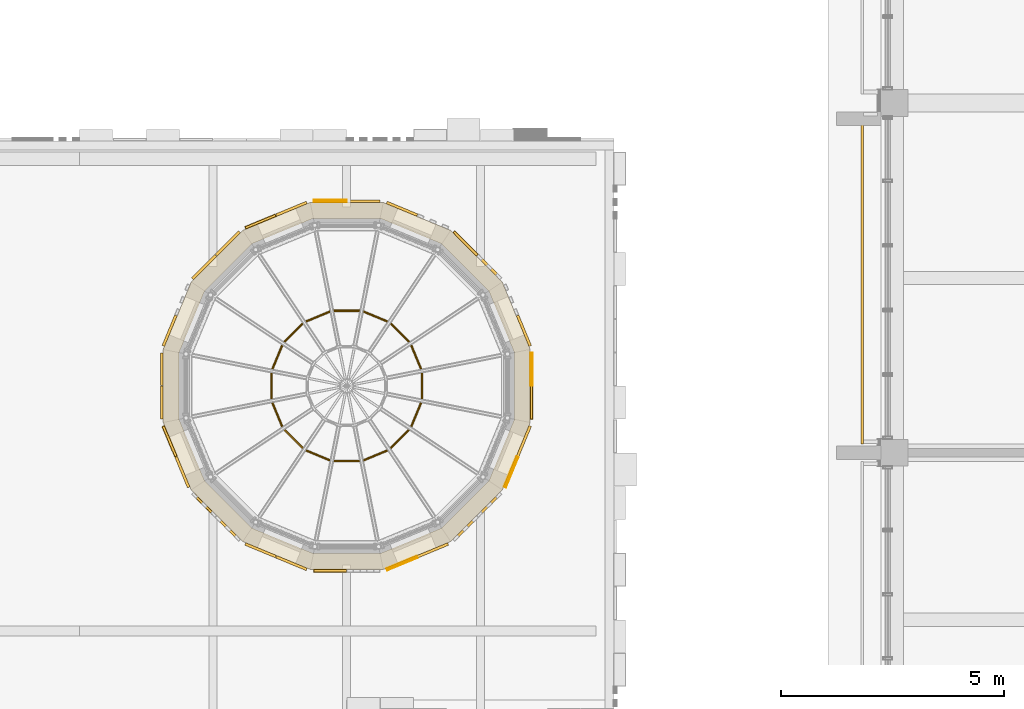
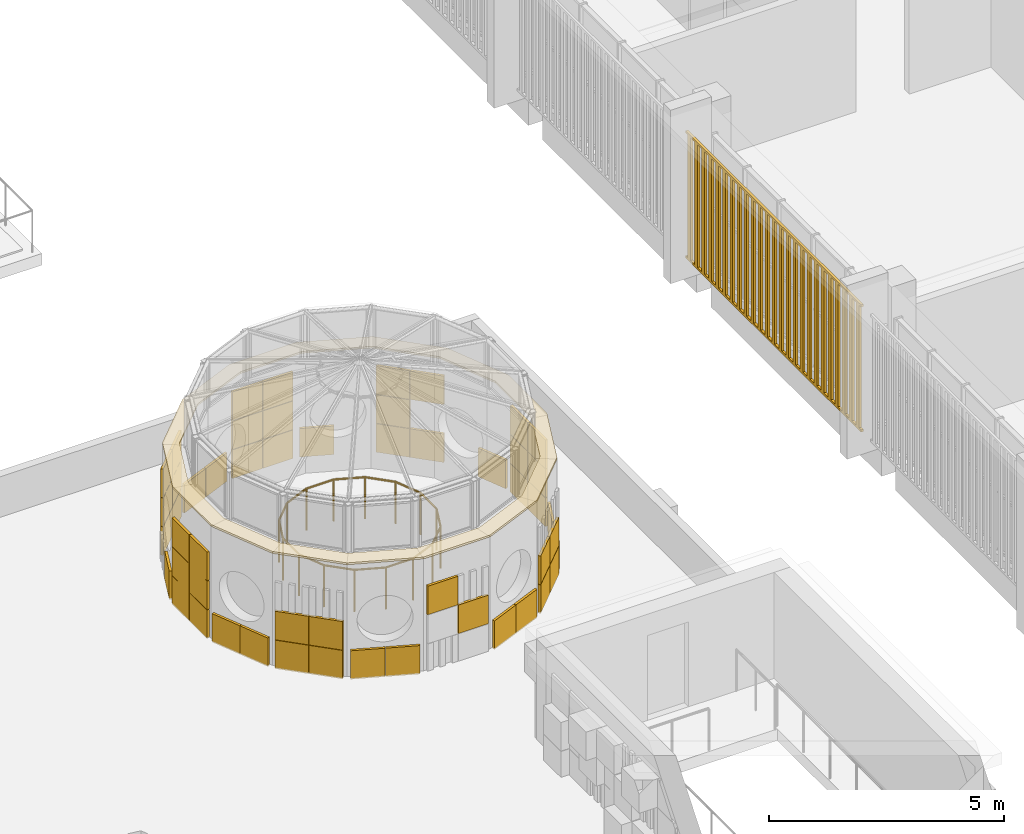
# One storey, part 89 of 98: 6 coverings, 1 railing, 1 shading device.
"""IFC4 building model written with IfcOpenShell, lengths in metres."""

import ifcopenshell
import ifcopenshell.guid

model = None  # the IFC model being written
_history = None  # IfcOwnerHistory: only IFC2X3 demands one
_inside = {}  # id of a spatial element -> (the spatial element, [elements in it])
_under = {}  # id of a project, library or spatial element -> (it, [spatial elements below it])
_declared = {}  # id of a project -> (the project, [libraries it declares])
_typed = {}  # id of a type object -> (the type object, [elements of that type])
_made_of = {}  # id of a material, layer set ... -> (it, [elements and type objects made of it])


def new_model(schema):
    """Start an empty IFC model of exactly this schema.

    Asked for "IFC4X3", IfcOpenShell would pick the latest addendum, in which some entities
    have other attributes; the version numbers below select the first issue.
    IFC2X3 requires an IfcOwnerHistory on every rooted entity: one is made here for all.
    """
    global model, _history
    if schema == "IFC4X3":
        model = ifcopenshell.file(schema_version=(4, 3, 0, 0))
    else:
        model = ifcopenshell.file(schema=schema)
    _inside.clear()
    _under.clear()
    _declared.clear()
    _typed.clear()
    _made_of.clear()
    _history = None
    if model.schema == "IFC2X3":
        org = make("IfcOrganization", Name="unknown")
        user = make(
            "IfcPersonAndOrganization",
            ThePerson=make("IfcPerson", FamilyName="unknown"),
            TheOrganization=org,
        )
        app = make(
            "IfcApplication",
            ApplicationDeveloper=org,
            Version="unknown",
            ApplicationFullName="unknown",
            ApplicationIdentifier="unknown",
        )
        _history = make(
            "IfcOwnerHistory",
            OwningUser=user,
            OwningApplication=app,
            ChangeAction="ADDED",
            CreationDate=0,
        )
    return model


def make(cls, **values):
    """One entity of the class cls with the attributes given. An attribute that is None is left unset."""
    return model.create_entity(
        cls, **{name: value for name, value in values.items() if value is not None}
    )


def rooted(cls, **values):
    """An entity with a GlobalId (a new one), such as an element, a storey or a relation."""
    return make(cls, GlobalId=ifcopenshell.guid.new(), OwnerHistory=_history, **values)


def si_unit(unit_type, name, prefix=None):
    """IfcSIUnit, for example si_unit("LENGTHUNIT", "METRE", prefix="MILLI")."""
    return make("IfcSIUnit", UnitType=unit_type, Prefix=prefix, Name=name)


def assignment(units):
    """IfcUnitAssignment: the units of a project."""
    return None if units is None else make("IfcUnitAssignment", Units=units)


def point(xyz):
    """IfcCartesianPoint."""
    return None if xyz is None else make("IfcCartesianPoint", Coordinates=xyz)


def direction(xyz):
    """IfcDirection."""
    return None if xyz is None else make("IfcDirection", DirectionRatios=xyz)


def frame(location, z_axis=None, x_axis=None):
    """IfcAxis2Placement3D, a coordinate frame: its origin and axes. An axis left out is left unset."""
    return make(
        "IfcAxis2Placement3D",
        Location=point(location),
        Axis=direction(z_axis),
        RefDirection=direction(x_axis),
    )


def frame_2d(location, x_axis=None):
    """IfcAxis2Placement2D, a coordinate frame in the plane: its origin and x axis."""
    return make(
        "IfcAxis2Placement2D", Location=point(location), RefDirection=direction(x_axis)
    )


def origin():
    """The frame at (0, 0, 0) with its axes left unset."""
    return frame((0.0, 0.0, 0.0))


def origin_2d():
    """The frame at (0, 0) in the plane with its x axis left unset."""
    return frame_2d((0.0, 0.0))


def place(relative_to, where):
    """IfcLocalPlacement: puts the frame where relative to a parent placement (None: the world)."""
    return make(
        "IfcLocalPlacement", PlacementRelTo=relative_to, RelativePlacement=where
    )


def context(
    kind, dimensions, precision=None, world=None, true_north=None, identifier=None
):
    """IfcGeometricRepresentationContext, for example the 3D "Model" context."""
    return make(
        "IfcGeometricRepresentationContext",
        ContextIdentifier=identifier,
        ContextType=kind,
        CoordinateSpaceDimension=dimensions,
        Precision=precision,
        WorldCoordinateSystem=world,
        TrueNorth=true_north,
    )


def subcontext(parent, identifier, kind, view, scale=None):
    """IfcGeometricRepresentationSubContext, for example "Body" below "Model"."""
    return make(
        "IfcGeometricRepresentationSubContext",
        ContextIdentifier=identifier,
        ContextType=kind,
        ParentContext=parent,
        TargetScale=scale,
        TargetView=view,
    )


def project(units=None, contexts=None):
    """IfcProject with its units and contexts."""
    return rooted(
        "IfcProject",
        Name="project",
        RepresentationContexts=contexts,
        UnitsInContext=assignment(units),
    )


def spatial(cls, under=None, at=None, **own):
    """A site, building, storey or space (cls), placed at a placement, below another one or the project."""
    s = rooted(cls, ObjectPlacement=at, **own)
    if under is not None:
        _under.setdefault(under.id(), (under, []))[1].append(s)
    return s


def polyline(points):
    """IfcPolyline through the points."""
    return make("IfcPolyline", Points=[point(p) for p in points])


def profile(cls, at=None, kind="AREA", **sizes):
    """A parametric profile (cls). Its sizes go by their IFC names, for example OverallWidth=200.0."""
    return make(cls, ProfileType=kind, Position=at, **sizes)


def rectangle(**sizes):
    """IfcRectangleProfileDef."""
    return profile("IfcRectangleProfileDef", **sizes)


def circle(**sizes):
    """IfcCircleProfileDef."""
    return profile("IfcCircleProfileDef", **sizes)


def outline(outer, holes=None, kind="AREA"):
    """IfcArbitraryClosedProfileDef: a profile drawn as a closed curve; with holes, ...WithVoids."""
    if holes is None:
        return make("IfcArbitraryClosedProfileDef", ProfileType=kind, OuterCurve=outer)
    return make(
        "IfcArbitraryProfileDefWithVoids",
        ProfileType=kind,
        OuterCurve=outer,
        InnerCurves=holes,
    )


def extrude(swept, where, along, depth):
    """IfcExtrudedAreaSolid: the profile swept, set in the frame where, extruded along a direction by depth."""
    return make(
        "IfcExtrudedAreaSolid",
        SweptArea=swept,
        Position=where,
        ExtrudedDirection=direction(along),
        Depth=depth,
    )


def shape(context_of_items, identifier, shape_type, items):
    """IfcShapeRepresentation: the items that make up one representation, for example the "Body"."""
    return make(
        "IfcShapeRepresentation",
        ContextOfItems=context_of_items,
        RepresentationIdentifier=identifier,
        RepresentationType=shape_type,
        Items=items,
    )


def material(Name=None, Category=None):
    """IfcMaterial."""
    return make("IfcMaterial", Name=Name, Category=Category)


def layer(
    of_material, thickness, ventilated=None, Name=None, Category=None, Priority=None
):
    """IfcMaterialLayer: one layer of a wall or slab, of a material (None: an air gap)."""
    return make(
        "IfcMaterialLayer",
        Material=of_material,
        LayerThickness=thickness,
        IsVentilated=ventilated,
        Name=Name,
        Category=Category,
        Priority=Priority,
    )


def layer_set(layers, Name=None):
    """IfcMaterialLayerSet."""
    return make("IfcMaterialLayerSet", MaterialLayers=layers, LayerSetName=Name)


def made_of(thing, what):
    """Note that an element or type object is made of a material, layer set ...; save() writes the relation."""
    if what is not None:
        _made_of.setdefault(what.id(), (what, []))[1].append(thing)
    return thing


def type_object(cls, material=None, **own):
    """A type object (cls), such as IfcWallType, which elements share."""
    return made_of(rooted(cls, **own), material)


def element(
    cls,
    number,
    at=None,
    inside=None,
    cuts=None,
    type_object=None,
    material=None,
    context=None,
    identifier="Body",
    shape_type=None,
    held_by="IfcProductDefinitionShape",
    body=None,
    shapes=None,
    **own,
):
    """One element of the class cls, such as IfcWall. Its Tag is "e" and its number.

    at: its placement. inside: the storey or other place that contains it. cuts: it is an
    opening in that element (IfcRelVoidsElement). A single representation is given by context,
    identifier, shape_type and body (its items); several are given by shapes. held_by: the class
    of the entity that holds the representations. save() writes the other relations.
    """
    e = rooted(cls, Tag="e%d" % number, ObjectPlacement=at, **own)
    if body is not None:
        shapes = [shape(context, identifier, shape_type, body)]
    if shapes is not None:
        e.Representation = make(held_by, Representations=shapes)
    if inside is not None:
        _inside.setdefault(inside.id(), (inside, []))[1].append(e)
    if cuts is not None:
        rooted(
            "IfcRelVoidsElement", RelatingBuildingElement=cuts, RelatedOpeningElement=e
        )
    if type_object is not None:
        _typed.setdefault(type_object.id(), (type_object, []))[1].append(e)
    return made_of(e, material)


def aggregate(whole, parts):
    """IfcRelAggregates: a whole, such as a stair, and the parts it consists of."""
    return rooted("IfcRelAggregates", RelatingObject=whole, RelatedObjects=parts)


def save(model, path):
    """Write the relations noted so far, then the file.

    IfcRelAggregates (storeys below a building ...), IfcRelContainedInSpatialStructure (elements
    in a storey), IfcRelDefinesByType, IfcRelAssociatesMaterial and IfcRelDeclares: one each for
    every whole, place, type object, material and project.
    """
    for whole, parts in _under.values():
        aggregate(whole, parts)
    for where, things in _inside.values():
        rooted(
            "IfcRelContainedInSpatialStructure",
            RelatedElements=things,
            RelatingStructure=where,
        )
    for kind, things in _typed.values():
        rooted("IfcRelDefinesByType", RelatedObjects=things, RelatingType=kind)
    for what, things in _made_of.values():
        rooted("IfcRelAssociatesMaterial", RelatedObjects=things, RelatingMaterial=what)
    for by, libraries in _declared.values():
        rooted("IfcRelDeclares", RelatingContext=by, RelatedDefinitions=libraries)
    model.write(path)


model = new_model("IFC4")

# Units and contexts
model_context = context("Model", 3, precision=1e-05, world=origin(), true_north=direction((0.0, 1.0)))
body_context = subcontext(model_context, "Body", "Model", "MODEL_VIEW")
ifc_project = project(units=[si_unit("LENGTHUNIT", "METRE"), si_unit("AREAUNIT", "SQUARE_METRE"), si_unit("VOLUMEUNIT", "CUBIC_METRE"), si_unit("PLANEANGLEUNIT", "RADIAN"), si_unit("MASSUNIT", "GRAM", prefix="KILO")], contexts=[model_context])

# Site, building, storey
site_placement = place(None, origin())
site = spatial("IfcSite", under=ifc_project, at=site_placement, CompositionType="ELEMENT")
building_placement = place(site_placement, origin())
building = spatial("IfcBuilding", under=site, at=building_placement, Name="Sun Court Science Centre", CompositionType="ELEMENT")
storey_placement = place(building_placement, frame((0.0, 0.0, 15.75)))
storey = spatial("IfcBuildingStorey", under=building, at=storey_placement, Name="L03", CompositionType="ELEMENT", Elevation=15.75)

# Railing
ifc_material_1 = material(Name="Steel S275", Category="steel")
railing_type = type_object("IfcRailingType", Name="Guard 1100 well balustrade", PredefinedType="GUARDRAIL", material=ifc_material_1)
railing_placement = place(storey_placement, frame((67.68701171875, 22.83544921875, 0.110107421875)))
element("IfcRailing", 1, at=railing_placement, inside=storey, type_object=railing_type, Name="C6 well guard L03", PredefinedType="GUARDRAIL", context=body_context, shape_type="SweptSolid", body=[
    extrude(circle(Radius=0.02392578125, at=origin_2d()), frame((0.0, 0.0, 1.076171875), z_axis=(-0.382651625058, 0.923892706888, 0.0), x_axis=(-0.923892706888, -0.382651625058, 0.0)), (0.0, 0.0, 1.0), 0.671142578125),
    extrude(circle(Radius=0.02392578125, at=origin_2d()), frame((-0.2568359375, 0.6201171875, 1.076171875), z_axis=(-0.707106781187, 0.707106781187, 0.0), x_axis=(-0.707106781187, -0.707106781187, 0.0)), (0.0, 0.0, 1.0), 0.671142578125),
    extrude(circle(Radius=0.02392578125, at=origin_2d()), frame((-0.7314453125, 1.0947265625, 1.076171875), z_axis=(-0.923892706888, 0.382651625058, 0.0), x_axis=(-0.382651625058, -0.923892706888, 0.0)), (0.0, 0.0, 1.0), 0.671142578125),
    extrude(circle(Radius=0.02392578125, at=origin_2d()), frame((-1.3515625, 1.3515625, 1.076171875), z_axis=(-1.0, 0.0, 0.0), x_axis=(0.0, -1.0, 0.0)), (0.0, 0.0, 1.0), 0.6708984375),
    extrude(circle(Radius=0.02392578125, at=origin_2d()), frame((-2.0224609375, 1.3515625, 1.076171875), z_axis=(-0.923892706888, -0.382651625058, 0.0), x_axis=(0.382651625058, -0.923892706888, 0.0)), (0.0, 0.0, 1.0), 0.671142578125),
    extrude(circle(Radius=0.02392578125, at=origin_2d()), frame((-2.642578125, 1.0947265625, 1.076171875), z_axis=(-0.707106781187, -0.707106781187, 0.0), x_axis=(0.707106781187, -0.707106781187, 0.0)), (0.0, 0.0, 1.0), 0.671142578125),
    extrude(circle(Radius=0.02392578125, at=origin_2d()), frame((-3.1171875, 0.6201171875, 1.076171875), z_axis=(-0.382651625058, -0.923892706888, 0.0), x_axis=(0.923892706888, -0.382651625058, 0.0)), (0.0, 0.0, 1.0), 0.671142578125),
    extrude(circle(Radius=0.02392578125, at=origin_2d()), frame((-3.3740234375, 0.0, 1.076171875), z_axis=(0.0, -1.0, 0.0), x_axis=(1.0, 0.0, 0.0)), (0.0, 0.0, 1.0), 0.6708984375),
    extrude(circle(Radius=0.02392578125, at=origin_2d()), frame((-3.3740234375, -0.6708984375, 1.076171875), z_axis=(0.382651625058, -0.923892706888, 0.0), x_axis=(0.923892706888, 0.382651625058, 0.0)), (0.0, 0.0, 1.0), 0.671142578125),
    extrude(circle(Radius=0.02392578125, at=origin_2d()), frame((-3.1171875, -1.291015625, 1.076171875), z_axis=(0.707106781187, -0.707106781187, 0.0), x_axis=(0.707106781187, 0.707106781187, 0.0)), (0.0, 0.0, 1.0), 0.671142578125),
    extrude(circle(Radius=0.02392578125, at=origin_2d()), frame((-2.642578125, -1.765625, 1.076171875), z_axis=(0.923892706888, -0.382651625058, 0.0), x_axis=(0.382651625058, 0.923892706888, 0.0)), (0.0, 0.0, 1.0), 0.671142578125),
    extrude(circle(Radius=0.02392578125, at=origin_2d()), frame((-2.0224609375, -2.0224609375, 1.076171875), z_axis=(1.0, 0.0, 0.0), x_axis=(0.0, 1.0, 0.0)), (0.0, 0.0, 1.0), 0.6708984375),
    extrude(circle(Radius=0.02392578125, at=origin_2d()), frame((-1.3515625, -2.0224609375, 1.076171875), z_axis=(0.923892706888, 0.382651625058, 0.0), x_axis=(-0.382651625058, 0.923892706888, 0.0)), (0.0, 0.0, 1.0), 0.671142578125),
    extrude(circle(Radius=0.02392578125, at=origin_2d()), frame((-0.7314453125, -1.765625, 1.076171875), z_axis=(0.707106781187, 0.707106781187, 0.0), x_axis=(-0.707106781187, 0.707106781187, 0.0)), (0.0, 0.0, 1.0), 0.671142578125),
    extrude(circle(Radius=0.02392578125, at=origin_2d()), frame((-0.2568359375, -1.291015625, 1.076171875), z_axis=(0.382651625058, 0.923892706888, 0.0), x_axis=(-0.923892706888, 0.382651625058, 0.0)), (0.0, 0.0, 1.0), 0.671142578125),
    extrude(circle(Radius=0.02392578125, at=origin_2d()), frame((0.0, -0.6708984375, 1.076171875), z_axis=(0.0, 1.0, 0.0), x_axis=(-1.0, 0.0, 0.0)), (0.0, 0.0, 1.0), 0.6708984375),
    extrude(circle(Radius=0.02099609375, at=origin_2d()), origin(), (0.0, 0.0, 1.0), 1.052001953125),
    extrude(circle(Radius=0.02099609375, at=origin_2d()), frame((-0.2568359375, 0.6201171875, 0.0)), (0.0, 0.0, 1.0), 1.052001953125),
    extrude(circle(Radius=0.02099609375, at=origin_2d()), frame((-0.7314453125, 1.0947265625, 0.0)), (0.0, 0.0, 1.0), 1.052001953125),
    extrude(circle(Radius=0.02099609375, at=origin_2d()), frame((-1.3515625, 1.3515625, 0.0)), (0.0, 0.0, 1.0), 1.052001953125),
    extrude(circle(Radius=0.02099609375, at=origin_2d()), frame((-2.0224609375, 1.3515625, 0.0)), (0.0, 0.0, 1.0), 1.052001953125),
    extrude(circle(Radius=0.02099609375, at=origin_2d()), frame((-2.642578125, 1.0947265625, 0.0)), (0.0, 0.0, 1.0), 1.052001953125),
    extrude(circle(Radius=0.02099609375, at=origin_2d()), frame((-3.1171875, 0.6201171875, 0.0)), (0.0, 0.0, 1.0), 1.052001953125),
    extrude(circle(Radius=0.02099609375, at=origin_2d()), frame((-3.3740234375, 0.0, 0.0)), (0.0, 0.0, 1.0), 1.052001953125),
    extrude(circle(Radius=0.02099609375, at=origin_2d()), frame((-3.3740234375, -0.6708984375, 0.0)), (0.0, 0.0, 1.0), 1.052001953125),
    extrude(circle(Radius=0.02099609375, at=origin_2d()), frame((-3.1171875, -1.291015625, 0.0)), (0.0, 0.0, 1.0), 1.052001953125),
    extrude(circle(Radius=0.02099609375, at=origin_2d()), frame((-2.642578125, -1.765625, 0.0)), (0.0, 0.0, 1.0), 1.052001953125),
    extrude(circle(Radius=0.02099609375, at=origin_2d()), frame((-2.0224609375, -2.0224609375, 0.0)), (0.0, 0.0, 1.0), 1.052001953125),
    extrude(circle(Radius=0.02099609375, at=origin_2d()), frame((-1.3515625, -2.0224609375, 0.0)), (0.0, 0.0, 1.0), 1.052001953125),
    extrude(circle(Radius=0.02099609375, at=origin_2d()), frame((-0.7314453125, -1.765625, 0.0)), (0.0, 0.0, 1.0), 1.052001953125),
    extrude(circle(Radius=0.02099609375, at=origin_2d()), frame((-0.2568359375, -1.291015625, 0.0)), (0.0, 0.0, 1.0), 1.052001953125),
    extrude(circle(Radius=0.02099609375, at=origin_2d()), frame((0.0, -0.6708984375, 0.0)), (0.0, 0.0, 1.0), 1.052001953125),
])

# Shading device
ifc_material_2 = material(Name="Red sandstone", Category="masonry")
ifc_layer_1 = layer(ifc_material_2, 0.06005859375)
ifc_layer_set_1 = layer_set([ifc_layer_1], Name="Red sandstone")
shading_device_type = type_object("IfcShadingDeviceType", Name="Jali screen, sandstone", PredefinedType="USERDEFINED", material=ifc_layer_set_1)
shading_device_placement = place(storey_placement, frame((0.0, 0.0, -15.75)))
element("IfcShadingDevice", 2, at=shading_device_placement, inside=storey, type_object=shading_device_type, Name="Jali screen west face L03 02", ObjectType="JALI SCREEN", PredefinedType="USERDEFINED", context=body_context, shape_type="SweptSolid", body=[
    extrude(rectangle(XDim=0.1201171875, YDim=0.06005859375, at=origin_2d()), frame((77.570068359375, 21.34912109375, 16.08984375), z_axis=(0.0, 0.0, 1.0), x_axis=(0.0, 1.0, 0.0)), (0.0, 0.0, 1.0), 3.219970703125),
    extrude(rectangle(XDim=0.1201171875, YDim=0.06005859375, at=origin_2d()), frame((77.570068359375, 21.64697265625, 16.08984375), z_axis=(0.0, 0.0, 1.0), x_axis=(0.0, 1.0, 0.0)), (0.0, 0.0, 1.0), 3.219970703125),
    extrude(rectangle(XDim=0.1201171875, YDim=0.06005859375, at=origin_2d()), frame((77.570068359375, 21.945068359375, 16.08984375), z_axis=(0.0, 0.0, 1.0), x_axis=(0.0, 1.0, 0.0)), (0.0, 0.0, 1.0), 3.219970703125),
    extrude(rectangle(XDim=0.1201171875, YDim=0.06005859375, at=origin_2d()), frame((77.570068359375, 22.242919921875, 16.08984375), z_axis=(0.0, 0.0, 1.0), x_axis=(0.0, 1.0, 0.0)), (0.0, 0.0, 1.0), 3.219970703125),
    extrude(rectangle(XDim=0.1201171875, YDim=0.06005859375, at=origin_2d()), frame((77.570068359375, 22.541015625, 16.08984375), z_axis=(0.0, 0.0, 1.0), x_axis=(0.0, 1.0, 0.0)), (0.0, 0.0, 1.0), 3.219970703125),
    extrude(rectangle(XDim=0.1201171875, YDim=0.06005859375, at=origin_2d()), frame((77.570068359375, 22.839111328125, 16.08984375), z_axis=(0.0, 0.0, 1.0), x_axis=(0.0, 1.0, 0.0)), (0.0, 0.0, 1.0), 3.219970703125),
    extrude(rectangle(XDim=0.1201171875, YDim=0.06005859375, at=origin_2d()), frame((77.570068359375, 23.136962890625, 16.08984375), z_axis=(0.0, 0.0, 1.0), x_axis=(0.0, 1.0, 0.0)), (0.0, 0.0, 1.0), 3.219970703125),
    extrude(rectangle(XDim=0.1201171875, YDim=0.06005859375, at=origin_2d()), frame((77.570068359375, 23.43505859375, 16.08984375), z_axis=(0.0, 0.0, 1.0), x_axis=(0.0, 1.0, 0.0)), (0.0, 0.0, 1.0), 3.219970703125),
    extrude(rectangle(XDim=0.1201171875, YDim=0.06005859375, at=origin_2d()), frame((77.570068359375, 23.73291015625, 16.08984375), z_axis=(0.0, 0.0, 1.0), x_axis=(0.0, 1.0, 0.0)), (0.0, 0.0, 1.0), 3.219970703125),
    extrude(rectangle(XDim=0.1201171875, YDim=0.06005859375, at=origin_2d()), frame((77.570068359375, 24.031005859375, 16.08984375), z_axis=(0.0, 0.0, 1.0), x_axis=(0.0, 1.0, 0.0)), (0.0, 0.0, 1.0), 3.219970703125),
    extrude(rectangle(XDim=0.1201171875, YDim=0.06005859375, at=origin_2d()), frame((77.570068359375, 24.3291015625, 16.08984375), z_axis=(0.0, 0.0, 1.0), x_axis=(0.0, 1.0, 0.0)), (0.0, 0.0, 1.0), 3.219970703125),
    extrude(rectangle(XDim=0.1201171875, YDim=0.06005859375, at=origin_2d()), frame((77.570068359375, 24.626953125, 16.08984375), z_axis=(0.0, 0.0, 1.0), x_axis=(0.0, 1.0, 0.0)), (0.0, 0.0, 1.0), 3.219970703125),
    extrude(rectangle(XDim=0.1201171875, YDim=0.06005859375, at=origin_2d()), frame((77.570068359375, 24.925048828125, 16.08984375), z_axis=(0.0, 0.0, 1.0), x_axis=(0.0, 1.0, 0.0)), (0.0, 0.0, 1.0), 3.219970703125),
    extrude(rectangle(XDim=0.1201171875, YDim=0.06005859375, at=origin_2d()), frame((77.570068359375, 25.222900390625, 16.08984375), z_axis=(0.0, 0.0, 1.0), x_axis=(0.0, 1.0, 0.0)), (0.0, 0.0, 1.0), 3.219970703125),
    extrude(rectangle(XDim=0.1201171875, YDim=0.06005859375, at=origin_2d()), frame((77.570068359375, 25.52099609375, 16.08984375), z_axis=(0.0, 0.0, 1.0), x_axis=(0.0, 1.0, 0.0)), (0.0, 0.0, 1.0), 3.219970703125),
    extrude(rectangle(XDim=0.1201171875, YDim=0.06005859375, at=origin_2d()), frame((77.570068359375, 25.819091796875, 16.08984375), z_axis=(0.0, 0.0, 1.0), x_axis=(0.0, 1.0, 0.0)), (0.0, 0.0, 1.0), 3.219970703125),
    extrude(rectangle(XDim=0.1201171875, YDim=0.06005859375, at=origin_2d()), frame((77.570068359375, 26.116943359375, 16.08984375), z_axis=(0.0, 0.0, 1.0), x_axis=(0.0, 1.0, 0.0)), (0.0, 0.0, 1.0), 3.219970703125),
    extrude(rectangle(XDim=0.1201171875, YDim=0.06005859375, at=origin_2d()), frame((77.570068359375, 26.4150390625, 16.08984375), z_axis=(0.0, 0.0, 1.0), x_axis=(0.0, 1.0, 0.0)), (0.0, 0.0, 1.0), 3.219970703125),
    extrude(rectangle(XDim=0.1201171875, YDim=0.06005859375, at=origin_2d()), frame((77.570068359375, 26.712890625, 16.08984375), z_axis=(0.0, 0.0, 1.0), x_axis=(0.0, 1.0, 0.0)), (0.0, 0.0, 1.0), 3.219970703125),
    extrude(rectangle(XDim=0.1201171875, YDim=0.06005859375, at=origin_2d()), frame((77.570068359375, 27.010986328125, 16.08984375), z_axis=(0.0, 0.0, 1.0), x_axis=(0.0, 1.0, 0.0)), (0.0, 0.0, 1.0), 3.219970703125),
    extrude(rectangle(XDim=0.1201171875, YDim=0.06005859375, at=origin_2d()), frame((77.570068359375, 27.30908203125, 16.08984375), z_axis=(0.0, 0.0, 1.0), x_axis=(0.0, 1.0, 0.0)), (0.0, 0.0, 1.0), 3.219970703125),
    extrude(rectangle(XDim=0.1201171875, YDim=0.06005859375, at=origin_2d()), frame((77.570068359375, 27.60693359375, 16.08984375), z_axis=(0.0, 0.0, 1.0), x_axis=(0.0, 1.0, 0.0)), (0.0, 0.0, 1.0), 3.219970703125),
    extrude(rectangle(XDim=0.1201171875, YDim=0.06005859375, at=origin_2d()), frame((77.570068359375, 27.905029296875, 16.08984375), z_axis=(0.0, 0.0, 1.0), x_axis=(0.0, 1.0, 0.0)), (0.0, 0.0, 1.0), 3.219970703125),
    extrude(rectangle(XDim=0.1201171875, YDim=0.06005859375, at=origin_2d()), frame((77.570068359375, 28.202880859375, 16.08984375), z_axis=(0.0, 0.0, 1.0), x_axis=(0.0, 1.0, 0.0)), (0.0, 0.0, 1.0), 3.219970703125),
    extrude(rectangle(XDim=0.1201171875, YDim=0.06005859375, at=origin_2d()), frame((77.570068359375, 28.5009765625, 16.08984375), z_axis=(0.0, 0.0, 1.0), x_axis=(0.0, 1.0, 0.0)), (0.0, 0.0, 1.0), 3.219970703125),
    extrude(rectangle(XDim=7.449951171875, YDim=0.06005859375, at=origin_2d()), frame((77.570068359375, 24.925048828125, 16.050048828125), z_axis=(0.0, 0.0, 1.0), x_axis=(0.0, 1.0, 0.0)), (0.0, 0.0, 1.0), 0.06005859375),
    extrude(rectangle(XDim=7.449951171875, YDim=0.06005859375, at=origin_2d()), frame((77.570068359375, 24.925048828125, 19.2900390625), z_axis=(0.0, 0.0, 1.0), x_axis=(0.0, 1.0, 0.0)), (0.0, 0.0, 1.0), 0.06005859375),
])

# Coverings
ifc_material_3 = material(Name="Red sandstone", Category="masonry")
ifc_layer_2 = layer(ifc_material_3, 0.050048828125)
ifc_layer_set_2 = layer_set([ifc_layer_2], Name="Red sandstone")
covering_type_1 = type_object("IfcCoveringType", Name="Red sandstone coping 50", PredefinedType="CLADDING", material=ifc_layer_set_2)
covering_1_placement = place(storey_placement, frame((0.0, 0.0, 3.050048828125)))
element("IfcCovering", 3, at=covering_1_placement, inside=storey, type_object=covering_type_1, Name="Sandstone coping of drum top cone 6", PredefinedType="CLADDING", context=body_context, shape_type="SweptSolid", body=[
    extrude(outline(polyline([(70.119384765625, 23.3193359375), (69.4921875, 24.83349609375), (68.33349609375, 25.9921875), (66.8193359375, 26.619384765625), (65.1806640625, 26.619384765625), (63.66650390625, 25.9921875), (62.5078125, 24.83349609375), (61.880615234375, 23.3193359375), (61.880615234375, 21.6806640625), (62.5078125, 20.16650390625), (63.66650390625, 19.0078125), (65.1806640625, 18.380615234375), (66.8193359375, 18.380615234375), (68.33349609375, 19.0078125), (69.4921875, 20.16650390625), (70.119384765625, 21.6806640625), (70.119384765625, 23.3193359375)]), holes=[polyline([(69.764404296875, 23.248779296875), (69.19140625, 24.63232421875), (68.13232421875, 25.69140625), (66.748779296875, 26.264404296875), (65.251220703125, 26.264404296875), (63.86767578125, 25.69140625), (62.80859375, 24.63232421875), (62.235595703125, 23.248779296875), (62.235595703125, 21.751220703125), (62.80859375, 20.36767578125), (63.86767578125, 19.30859375), (65.251220703125, 18.735595703125), (66.748779296875, 18.735595703125), (68.13232421875, 19.30859375), (69.19140625, 20.36767578125), (69.764404296875, 21.751220703125), (69.764404296875, 23.248779296875)])]), origin(), (0.0, 0.0, 1.0), 0.050048828125),
])
ifc_material_4 = material(Name="Terracotta shade 1", Category="masonry")
ifc_layer_3 = layer(ifc_material_4, 0.06005859375)
ifc_layer_set_3 = layer_set([ifc_layer_3], Name="Terracotta shade 1")
covering_type_2 = type_object("IfcCoveringType", Name="Terracotta pixel panel shade 1", PredefinedType="CLADDING", material=ifc_layer_set_3)
covering_2_placement = place(storey_placement, frame((0.0, 0.0, -15.75)))
element("IfcCovering", 4, at=covering_2_placement, inside=storey, type_object=covering_type_2, Name="Terracotta pixel cladding shade 1 cone 6 L03", PredefinedType="CLADDING", context=body_context, shape_type="SweptSolid", body=[
    extrude(rectangle(XDim=0.739990234375, YDim=0.06005859375, at=origin_2d()), frame((68.6689453125, 25.69921875, 17.365234375), z_axis=(0.0, 0.0, 1.0), x_axis=(0.707106781187, -0.707106781187, 0.0)), (0.0, 0.0, 1.0), 0.739990234375),
    extrude(rectangle(XDim=0.739990234375, YDim=0.06005859375, at=origin_2d()), frame((65.625, 26.6494140625, 15.865234375), z_axis=(0.0, 0.0, 1.0), x_axis=(1.0, 0.0, 0.0)), (0.0, 0.0, 1.0), 0.739990234375),
    extrude(rectangle(XDim=0.739990234375, YDim=0.06005859375, at=origin_2d()), frame((66.375, 26.6494140625, 15.865234375), z_axis=(0.0, 0.0, 1.0), x_axis=(1.0, 0.0, 0.0)), (0.0, 0.0, 1.0), 0.739990234375),
    extrude(rectangle(XDim=0.739990234375, YDim=0.06005859375, at=origin_2d()), frame((62.80078125, 25.1689453125, 15.865234375), z_axis=(0.0, 0.0, 1.0), x_axis=(0.707106781187, 0.707106781187, 0.0)), (0.0, 0.0, 1.0), 0.739990234375),
    extrude(rectangle(XDim=0.739990234375, YDim=0.06005859375, at=origin_2d()), frame((63.3310546875, 25.69921875, 15.865234375), z_axis=(0.0, 0.0, 1.0), x_axis=(0.707106781187, 0.707106781187, 0.0)), (0.0, 0.0, 1.0), 0.739990234375),
    extrude(rectangle(XDim=0.739990234375, YDim=0.06005859375, at=origin_2d()), frame((62.02294921875, 23.741455078125, 15.865234375), z_axis=(0.0, 0.0, 1.0), x_axis=(0.382683432365, 0.923879532511, 0.0)), (0.0, 0.0, 1.0), 0.739990234375),
    extrude(rectangle(XDim=0.739990234375, YDim=0.06005859375, at=origin_2d()), frame((61.8505859375, 22.125, 16.615234375), z_axis=(0.0, 0.0, 1.0), x_axis=(0.0, 1.0, 0.0)), (0.0, 0.0, 1.0), 0.739990234375),
    extrude(rectangle(XDim=0.739990234375, YDim=0.06005859375, at=origin_2d()), frame((61.8505859375, 22.875, 16.615234375), z_axis=(0.0, 0.0, 1.0), x_axis=(0.0, 1.0, 0.0)), (0.0, 0.0, 1.0), 0.739990234375),
    extrude(rectangle(XDim=0.739990234375, YDim=0.06005859375, at=origin_2d()), frame((61.8505859375, 22.875, 17.365234375), z_axis=(0.0, 0.0, 1.0), x_axis=(0.0, 1.0, 0.0)), (0.0, 0.0, 1.0), 0.739990234375),
    extrude(rectangle(XDim=0.739990234375, YDim=0.06005859375, at=origin_2d()), frame((64.758544921875, 18.52294921875, 15.865234375), z_axis=(0.0, 0.0, 1.0), x_axis=(-0.923879532511, 0.382683432365, 0.0)), (0.0, 0.0, 1.0), 0.739990234375),
    extrude(rectangle(XDim=0.739990234375, YDim=0.06005859375, at=origin_2d()), frame((67.934326171875, 18.81005859375, 15.865234375), z_axis=(0.0, 0.0, 1.0), x_axis=(-0.923879532511, -0.382683432365, 0.0)), (0.0, 0.0, 1.0), 0.739990234375),
    extrude(rectangle(XDim=0.739990234375, YDim=0.06005859375, at=origin_2d()), frame((68.6689453125, 19.30078125, 15.865234375), z_axis=(0.0, 0.0, 1.0), x_axis=(-0.707106781187, -0.707106781187, 0.0)), (0.0, 0.0, 1.0), 0.739990234375),
    extrude(rectangle(XDim=0.739990234375, YDim=0.06005859375, at=origin_2d()), frame((69.19921875, 19.8310546875, 16.615234375), z_axis=(0.0, 0.0, 1.0), x_axis=(-0.707106781187, -0.707106781187, 0.0)), (0.0, 0.0, 1.0), 0.739990234375),
    extrude(rectangle(XDim=0.739990234375, YDim=0.06005859375, at=origin_2d()), frame((69.97705078125, 21.258544921875, 15.865234375), z_axis=(0.0, 0.0, 1.0), x_axis=(-0.382683432365, -0.923879532511, 0.0)), (0.0, 0.0, 1.0), 0.739990234375),
    extrude(rectangle(XDim=0.739990234375, YDim=0.06005859375, at=origin_2d()), frame((70.1494140625, 22.125, 15.865234375), z_axis=(0.0, 0.0, 1.0), x_axis=(0.0, -1.0, 0.0)), (0.0, 0.0, 1.0), 0.739990234375),
    extrude(rectangle(XDim=0.739990234375, YDim=0.06005859375, at=origin_2d()), frame((70.1494140625, 22.125, 17.365234375), z_axis=(0.0, 0.0, 1.0), x_axis=(0.0, -1.0, 0.0)), (0.0, 0.0, 1.0), 0.739990234375),
    extrude(rectangle(XDim=0.739990234375, YDim=0.06005859375, at=origin_2d()), frame((70.1494140625, 22.875, 16.615234375), z_axis=(0.0, 0.0, 1.0), x_axis=(0.0, -1.0, 0.0)), (0.0, 0.0, 1.0), 0.739990234375),
    extrude(rectangle(XDim=0.739990234375, YDim=0.06005859375, at=origin_2d()), frame((61.8505859375, 22.875, 15.865234375), z_axis=(0.0, 0.0, 1.0), x_axis=(0.0, 1.0, 0.0)), (0.0, 0.0, 1.0), 0.739990234375),
    extrude(rectangle(XDim=0.739990234375, YDim=0.06005859375, at=origin_2d()), frame((61.8505859375, 22.125, 17.365234375), z_axis=(0.0, 0.0, 1.0), x_axis=(0.0, 1.0, 0.0)), (0.0, 0.0, 1.0), 0.739990234375),
])
ifc_material_5 = material(Name="Terracotta shade 2", Category="masonry")
ifc_layer_4 = layer(ifc_material_5, 0.06005859375)
ifc_layer_set_4 = layer_set([ifc_layer_4], Name="Terracotta shade 2")
covering_type_3 = type_object("IfcCoveringType", Name="Terracotta pixel panel shade 2", PredefinedType="CLADDING", material=ifc_layer_set_4)
covering_3_placement = place(storey_placement, frame((0.0, 0.0, -15.75)))
element("IfcCovering", 5, at=covering_3_placement, inside=storey, type_object=covering_type_3, Name="Terracotta pixel cladding shade 2 cone 6 L03", PredefinedType="CLADDING", context=body_context, shape_type="SweptSolid", body=[
    extrude(rectangle(XDim=0.739990234375, YDim=0.06005859375, at=origin_2d()), frame((69.19921875, 25.1689453125, 15.865234375), z_axis=(0.0, 0.0, 1.0), x_axis=(0.707106781187, -0.707106781187, 0.0)), (0.0, 0.0, 1.0), 0.739990234375),
    extrude(rectangle(XDim=0.739990234375, YDim=0.06005859375, at=origin_2d()), frame((67.241455078125, 26.47705078125, 15.865234375), z_axis=(0.0, 0.0, 1.0), x_axis=(0.923879532511, -0.382683432365, 0.0)), (0.0, 0.0, 1.0), 0.739990234375),
    extrude(rectangle(XDim=0.739990234375, YDim=0.06005859375, at=origin_2d()), frame((65.625, 26.6494140625, 17.365234375), z_axis=(0.0, 0.0, 1.0), x_axis=(1.0, 0.0, 0.0)), (0.0, 0.0, 1.0), 0.739990234375),
    extrude(rectangle(XDim=0.739990234375, YDim=0.06005859375, at=origin_2d()), frame((66.375, 26.6494140625, 17.365234375), z_axis=(0.0, 0.0, 1.0), x_axis=(1.0, 0.0, 0.0)), (0.0, 0.0, 1.0), 0.739990234375),
    extrude(rectangle(XDim=0.739990234375, YDim=0.06005859375, at=origin_2d()), frame((64.758544921875, 26.47705078125, 15.865234375), z_axis=(0.0, 0.0, 1.0), x_axis=(0.923879532511, 0.382683432365, 0.0)), (0.0, 0.0, 1.0), 0.739990234375),
    extrude(rectangle(XDim=0.739990234375, YDim=0.06005859375, at=origin_2d()), frame((62.80078125, 25.1689453125, 16.615234375), z_axis=(0.0, 0.0, 1.0), x_axis=(0.707106781187, 0.707106781187, 0.0)), (0.0, 0.0, 1.0), 0.739990234375),
    extrude(rectangle(XDim=0.739990234375, YDim=0.06005859375, at=origin_2d()), frame((62.80078125, 25.1689453125, 17.365234375), z_axis=(0.0, 0.0, 1.0), x_axis=(0.707106781187, 0.707106781187, 0.0)), (0.0, 0.0, 1.0), 0.739990234375),
    extrude(rectangle(XDim=0.739990234375, YDim=0.06005859375, at=origin_2d()), frame((62.31005859375, 20.565673828125, 15.865234375), z_axis=(0.0, 0.0, 1.0), x_axis=(-0.382683432365, 0.923879532511, 0.0)), (0.0, 0.0, 1.0), 0.739990234375),
    extrude(rectangle(XDim=0.739990234375, YDim=0.06005859375, at=origin_2d()), frame((63.3310546875, 19.30078125, 16.615234375), z_axis=(0.0, 0.0, 1.0), x_axis=(-0.707106781187, 0.707106781187, 0.0)), (0.0, 0.0, 1.0), 0.739990234375),
    extrude(rectangle(XDim=0.739990234375, YDim=0.06005859375, at=origin_2d()), frame((69.19921875, 19.8310546875, 15.865234375), z_axis=(0.0, 0.0, 1.0), x_axis=(-0.707106781187, -0.707106781187, 0.0)), (0.0, 0.0, 1.0), 0.739990234375),
])
ifc_material_6 = material(Name="Terracotta shade 3", Category="masonry")
ifc_layer_5 = layer(ifc_material_6, 0.06005859375)
ifc_layer_set_5 = layer_set([ifc_layer_5], Name="Terracotta shade 3")
covering_type_4 = type_object("IfcCoveringType", Name="Terracotta pixel panel shade 3", PredefinedType="CLADDING", material=ifc_layer_set_5)
covering_4_placement = place(storey_placement, frame((0.0, 0.0, -15.75)))
element("IfcCovering", 6, at=covering_4_placement, inside=storey, type_object=covering_type_4, Name="Terracotta pixel cladding shade 3 cone 6 L03", PredefinedType="CLADDING", context=body_context, shape_type="SweptSolid", body=[
    extrude(rectangle(XDim=0.739990234375, YDim=0.06005859375, at=origin_2d()), frame((69.97705078125, 23.741455078125, 15.865234375), z_axis=(0.0, 0.0, 1.0), x_axis=(0.382683432365, -0.923879532511, 0.0)), (0.0, 0.0, 1.0), 0.739990234375),
    extrude(rectangle(XDim=0.739990234375, YDim=0.06005859375, at=origin_2d()), frame((69.19921875, 25.1689453125, 17.365234375), z_axis=(0.0, 0.0, 1.0), x_axis=(0.707106781187, -0.707106781187, 0.0)), (0.0, 0.0, 1.0), 0.739990234375),
    extrude(rectangle(XDim=0.739990234375, YDim=0.06005859375, at=origin_2d()), frame((66.375, 26.6494140625, 16.615234375), z_axis=(0.0, 0.0, 1.0), x_axis=(1.0, 0.0, 0.0)), (0.0, 0.0, 1.0), 0.739990234375),
    extrude(rectangle(XDim=0.739990234375, YDim=0.06005859375, at=origin_2d()), frame((63.3310546875, 25.69921875, 16.615234375), z_axis=(0.0, 0.0, 1.0), x_axis=(0.707106781187, 0.707106781187, 0.0)), (0.0, 0.0, 1.0), 0.739990234375),
    extrude(rectangle(XDim=0.739990234375, YDim=0.06005859375, at=origin_2d()), frame((63.3310546875, 25.69921875, 17.365234375), z_axis=(0.0, 0.0, 1.0), x_axis=(0.707106781187, 0.707106781187, 0.0)), (0.0, 0.0, 1.0), 0.739990234375),
    extrude(rectangle(XDim=0.739990234375, YDim=0.06005859375, at=origin_2d()), frame((61.8505859375, 22.125, 15.865234375), z_axis=(0.0, 0.0, 1.0), x_axis=(0.0, 1.0, 0.0)), (0.0, 0.0, 1.0), 0.739990234375),
    extrude(rectangle(XDim=0.739990234375, YDim=0.06005859375, at=origin_2d()), frame((63.3310546875, 19.30078125, 15.865234375), z_axis=(0.0, 0.0, 1.0), x_axis=(-0.707106781187, 0.707106781187, 0.0)), (0.0, 0.0, 1.0), 0.739990234375),
    extrude(rectangle(XDim=0.739990234375, YDim=0.06005859375, at=origin_2d()), frame((62.80078125, 19.8310546875, 16.615234375), z_axis=(0.0, 0.0, 1.0), x_axis=(-0.707106781187, 0.707106781187, 0.0)), (0.0, 0.0, 1.0), 0.739990234375),
    extrude(rectangle(XDim=0.739990234375, YDim=0.06005859375, at=origin_2d()), frame((64.065673828125, 18.81005859375, 15.865234375), z_axis=(0.0, 0.0, 1.0), x_axis=(-0.923879532511, 0.382683432365, 0.0)), (0.0, 0.0, 1.0), 0.739990234375),
    extrude(rectangle(XDim=0.739990234375, YDim=0.06005859375, at=origin_2d()), frame((66.375, 18.3505859375, 16.615234375), z_axis=(0.0, 0.0, 1.0), x_axis=(-1.0, 0.0, 0.0)), (0.0, 0.0, 1.0), 0.739990234375),
    extrude(rectangle(XDim=0.739990234375, YDim=0.06005859375, at=origin_2d()), frame((68.6689453125, 19.30078125, 16.615234375), z_axis=(0.0, 0.0, 1.0), x_axis=(-0.707106781187, -0.707106781187, 0.0)), (0.0, 0.0, 1.0), 0.739990234375),
])
ifc_material_7 = material(Name="Terracotta shade 4", Category="masonry")
ifc_layer_6 = layer(ifc_material_7, 0.06005859375)
ifc_layer_set_6 = layer_set([ifc_layer_6], Name="Terracotta shade 4")
covering_type_5 = type_object("IfcCoveringType", Name="Terracotta pixel panel shade 4", PredefinedType="CLADDING", material=ifc_layer_set_6)
covering_5_placement = place(storey_placement, frame((0.0, 0.0, -15.75)))
element("IfcCovering", 7, at=covering_5_placement, inside=storey, type_object=covering_type_5, Name="Terracotta pixel cladding shade 4 cone 6 L03", PredefinedType="CLADDING", context=body_context, shape_type="SweptSolid", body=[
    extrude(rectangle(XDim=0.739990234375, YDim=0.06005859375, at=origin_2d()), frame((68.6689453125, 25.69921875, 15.865234375), z_axis=(0.0, 0.0, 1.0), x_axis=(0.707106781187, -0.707106781187, 0.0)), (0.0, 0.0, 1.0), 0.739990234375),
    extrude(rectangle(XDim=0.739990234375, YDim=0.06005859375, at=origin_2d()), frame((68.6689453125, 25.69921875, 16.615234375), z_axis=(0.0, 0.0, 1.0), x_axis=(0.707106781187, -0.707106781187, 0.0)), (0.0, 0.0, 1.0), 0.739990234375),
    extrude(rectangle(XDim=0.739990234375, YDim=0.06005859375, at=origin_2d()), frame((64.065673828125, 26.18994140625, 15.865234375), z_axis=(0.0, 0.0, 1.0), x_axis=(0.923879532511, 0.382683432365, 0.0)), (0.0, 0.0, 1.0), 0.739990234375),
    extrude(rectangle(XDim=0.739990234375, YDim=0.06005859375, at=origin_2d()), frame((62.02294921875, 21.258544921875, 15.865234375), z_axis=(0.0, 0.0, 1.0), x_axis=(-0.382683432365, 0.923879532511, 0.0)), (0.0, 0.0, 1.0), 0.739990234375),
    extrude(rectangle(XDim=0.739990234375, YDim=0.06005859375, at=origin_2d()), frame((62.80078125, 19.8310546875, 15.865234375), z_axis=(0.0, 0.0, 1.0), x_axis=(-0.707106781187, 0.707106781187, 0.0)), (0.0, 0.0, 1.0), 0.739990234375),
    extrude(rectangle(XDim=0.739990234375, YDim=0.06005859375, at=origin_2d()), frame((65.625, 18.3505859375, 17.365234375), z_axis=(0.0, 0.0, 1.0), x_axis=(-1.0, 0.0, 0.0)), (0.0, 0.0, 1.0), 0.739990234375),
    extrude(rectangle(XDim=0.739990234375, YDim=0.06005859375, at=origin_2d()), frame((70.1494140625, 22.125, 16.615234375), z_axis=(0.0, 0.0, 1.0), x_axis=(0.0, -1.0, 0.0)), (0.0, 0.0, 1.0), 0.739990234375),
    extrude(rectangle(XDim=0.739990234375, YDim=0.06005859375, at=origin_2d()), frame((70.1494140625, 22.875, 17.365234375), z_axis=(0.0, 0.0, 1.0), x_axis=(0.0, -1.0, 0.0)), (0.0, 0.0, 1.0), 0.739990234375),
])
ifc_material_8 = material(Name="Terracotta shade 5", Category="masonry")
ifc_layer_7 = layer(ifc_material_8, 0.06005859375)
ifc_layer_set_7 = layer_set([ifc_layer_7], Name="Terracotta shade 5")
covering_type_6 = type_object("IfcCoveringType", Name="Terracotta pixel panel shade 5", PredefinedType="CLADDING", material=ifc_layer_set_7)
covering_6_placement = place(storey_placement, frame((0.0, 0.0, -15.75)))
element("IfcCovering", 8, at=covering_6_placement, inside=storey, type_object=covering_type_6, Name="Terracotta pixel cladding shade 5 cone 6 L03", PredefinedType="CLADDING", context=body_context, shape_type="SweptSolid", body=[
    extrude(rectangle(XDim=0.739990234375, YDim=0.06005859375, at=origin_2d()), frame((65.625, 26.6494140625, 16.615234375), z_axis=(0.0, 0.0, 1.0), x_axis=(1.0, 0.0, 0.0)), (0.0, 0.0, 1.0), 0.739990234375),
    extrude(rectangle(XDim=0.739990234375, YDim=0.06005859375, at=origin_2d()), frame((67.241455078125, 18.52294921875, 15.865234375), z_axis=(0.0, 0.0, 1.0), x_axis=(-0.923879532511, -0.382683432365, 0.0)), (0.0, 0.0, 1.0), 0.739990234375),
    extrude(rectangle(XDim=0.739990234375, YDim=0.06005859375, at=origin_2d()), frame((69.68994140625, 20.565673828125, 15.865234375), z_axis=(0.0, 0.0, 1.0), x_axis=(-0.382683432365, -0.923879532511, 0.0)), (0.0, 0.0, 1.0), 0.739990234375),
    extrude(rectangle(XDim=0.739990234375, YDim=0.06005859375, at=origin_2d()), frame((70.1494140625, 22.875, 15.865234375), z_axis=(0.0, 0.0, 1.0), x_axis=(0.0, -1.0, 0.0)), (0.0, 0.0, 1.0), 0.739990234375),
])

save(model, "model.ifc")
